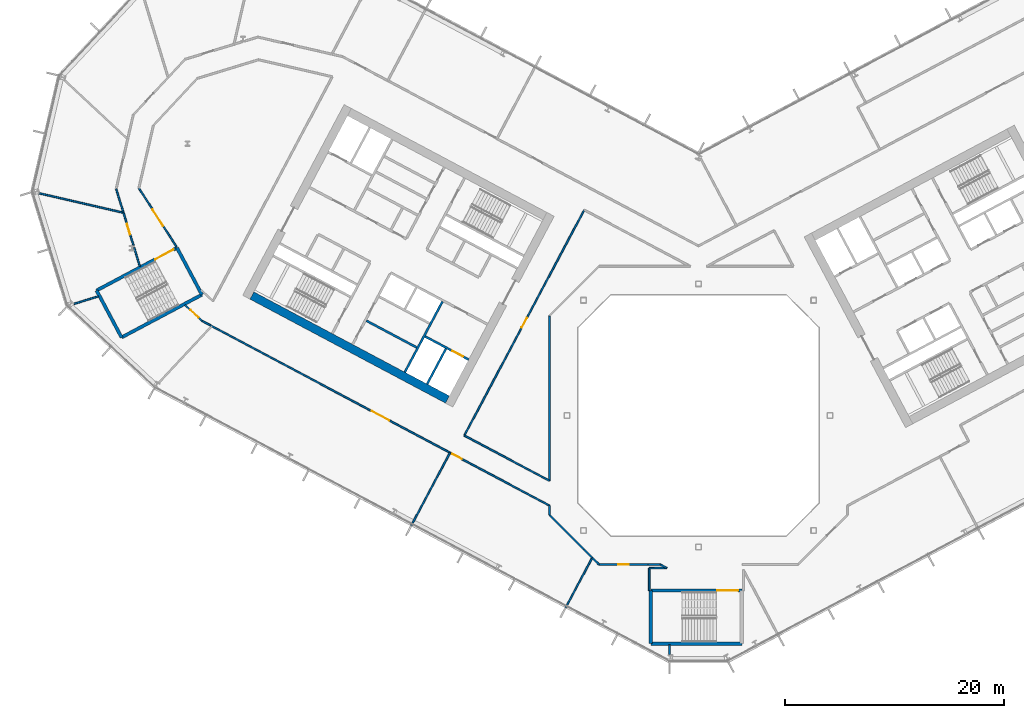
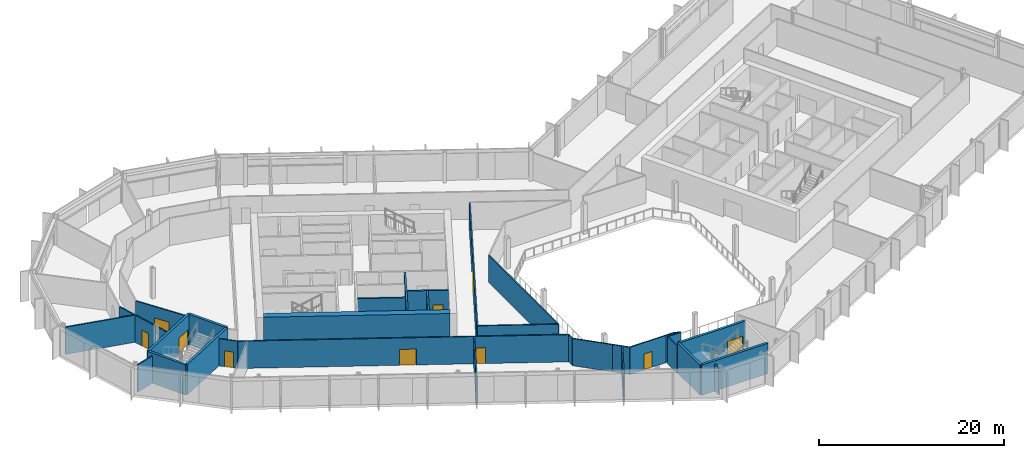
# One storey, part 13 of 28: 36 walls, 10 doors, 10 openings.
"""IFC4 building model written with IfcOpenShell, lengths in metres."""

from ifc_helpers import new_model, si_unit, direction, frame, frame_2d, origin, place, context, subcontext, project, spatial, rectangle, extrude, material, layer, layer_set, type_object, element, fill, save


model = new_model("IFC4")

# Units and contexts
model_context = context("Model", 3, precision=1e-05, world=origin(), true_north=direction((0.0, 1.0)))
body_context = subcontext(model_context, "Body", "Model", "MODEL_VIEW")
ifc_project = project(units=[si_unit("LENGTHUNIT", "METRE"), si_unit("AREAUNIT", "SQUARE_METRE"), si_unit("VOLUMEUNIT", "CUBIC_METRE"), si_unit("PLANEANGLEUNIT", "RADIAN"), si_unit("MASSUNIT", "GRAM", prefix="KILO")], contexts=[model_context])

# Site, building, storey
site_placement = place(None, origin())
site = spatial("IfcSite", under=ifc_project, at=site_placement, CompositionType="ELEMENT")
building_placement = place(site_placement, origin())
building = spatial("IfcBuilding", under=site, at=building_placement, Name="Cormorant Relay Tower", CompositionType="ELEMENT")
storey_placement = place(building_placement, frame((0.0, 0.0, 174.199951171875)))
storey = spatial("IfcBuildingStorey", under=building, at=storey_placement, Name="L37", CompositionType="ELEMENT", Elevation=174.199951171875)

# Walls
ifc_material_1 = material(Name="Concrete 40 MPa", Category="concrete")
ifc_layer_1 = layer(ifc_material_1, 0.199951171875)
ifc_layer_set_1 = layer_set([ifc_layer_1], Name="Core internal wall 200")
wall_type_1 = type_object("IfcWallType", Name="Core internal wall 200", PredefinedType="SOLIDWALL", material=ifc_layer_set_1)
wall_1_placement = place(storey_placement, frame((-25.701904296875, 6.19091796875, 0.0), z_axis=(0.0, 0.0, 1.0), x_axis=(-0.882934506056, 0.469496174655, 0.0)))
element("IfcWall", 1, at=wall_1_placement, inside=storey, type_object=wall_type_1, Name="L37 core A shaft and room wall", PredefinedType="SOLIDWALL", context=body_context, shape_type="SweptSolid", body=[
    extrude(rectangle(XDim=5.199951171875, YDim=0.199951171875, at=frame_2d((2.60009765625, 0.0))), origin(), (0.0, 0.0, 1.0), 4.0),
])
ifc_material_2 = material(Name="Concrete 50 MPa", Category="concrete")
ifc_layer_2 = layer(ifc_material_2, 0.199951171875)
ifc_layer_set_2 = layer_set([ifc_layer_2], Name="Core shaft wall 200")
wall_type_2 = type_object("IfcWallType", Name="Core shaft wall 200", PredefinedType="SHEAR", material=ifc_layer_set_2)
wall_2_placement = place(storey_placement, frame((-23.04296875, 6.07958984375, 0.0), z_axis=(0.0, 0.0, 1.0), x_axis=(-0.469494272526, -0.882935517501, 0.0)))
element("IfcWall", 2, at=wall_2_placement, inside=storey, type_object=wall_type_2, Name="L37 core A shaft wall", PredefinedType="SHEAR", context=body_context, shape_type="SweptSolid", body=[
    extrude(rectangle(XDim=3.64990234375, YDim=0.199951171875, at=frame_2d((1.824951171875, 0.0))), origin(), (0.0, 0.0, 1.0), 4.0),
])
wall_3_placement = place(storey_placement, frame((-23.360107421875, 10.38232421875, 0.0), z_axis=(0.0, 0.0, 1.0), x_axis=(-0.469480409012, -0.88294288918, 0.0)))
element("IfcWall", 3, at=wall_3_placement, inside=storey, type_object=wall_type_2, Name="L37 core A shaft wall", PredefinedType="SHEAR", context=body_context, shape_type="SweptSolid", body=[
    extrude(rectangle(XDim=7.300048828125, YDim=0.199951171875, at=frame_2d((3.64990234375, 0.0))), origin(), (0.0, 0.0, 1.0), 4.0),
])

# Wall, opening, door
wall_4_placement = place(storey_placement, frame((-20.96533203125, 5.088134765625, 0.0), z_axis=(0.0, 0.0, 1.0), x_axis=(-0.882925986334, 0.469512196493, 0.0)))
wall_4 = element("IfcWall", 4, at=wall_4_placement, inside=storey, type_object=wall_type_2, Name="L37 core A shaft wall", PredefinedType="SHEAR", context=body_context, shape_type="SweptSolid", body=[
    extrude(rectangle(XDim=4.5, YDim=0.199951171875, at=frame_2d((2.25, 0.0))), origin(), (0.0, 0.0, 1.0), 4.0),
])
opening_1_placement = place(wall_4_placement, frame((0.60009765625, 0.0, 0.0)))
opening_1 = element("IfcOpeningElement", 5, at=opening_1_placement, cuts=wall_4, Name="Opening LD1-043", PredefinedType="OPENING", context=body_context, shape_type="SweptSolid", body=[
    extrude(rectangle(XDim=1.10009765625, YDim=2.10009765625, at=frame_2d((0.550048828125, 1.050048828125))), frame((0.0, 0.10986328125, 0.0), z_axis=(0.0, -1.0, 0.0), x_axis=(1.0, 0.0, 0.0)), (0.0, 0.0, 1.0), 0.219970703125),
])
ifc_material_3 = material(Name="Stainless steel 316", Category="steel")
door_type_1 = type_object("IfcDoorType", Name="Lift landing door 1100x2100", OperationType="DOUBLE_DOOR_SLIDING", PredefinedType="DOOR", material=ifc_material_3)
door_1_placement = place(opening_1_placement, origin())
door_1 = element("IfcDoor", 6, at=door_1_placement, inside=storey, type_object=door_type_1, Name="FF1 landing door", OperationType="DOUBLE_DOOR_SLIDING", OverallHeight=2.10009765625, OverallWidth=1.10009765625, PredefinedType="DOOR", context=body_context, shape_type="SweptSolid", body=[
    extrude(rectangle(XDim=1.10009765625, YDim=2.10009765625, at=frame_2d((0.550048828125, 1.050048828125))), frame((0.0, 0.02490234375, 0.0), z_axis=(0.0, -1.0, 0.0), x_axis=(1.0, 0.0, 0.0)), (0.0, 0.0, 1.0), 0.050048828125),
])
fill(opening_1, door_1)

# Walls
ifc_material_4 = material(Name="Concrete 60 MPa", Category="concrete")
ifc_layer_3 = layer(ifc_material_4, 0.75)
ifc_layer_set_3 = layer_set([ifc_layer_3], Name="Core wall 750")
wall_type_3 = type_object("IfcWallType", Name="Core wall 750", PredefinedType="SHEAR", material=ifc_layer_set_3)
wall_5_placement = place(storey_placement, frame((-22.90185546875, 1.446044921875, 0.0), z_axis=(0.0, 0.0, 1.0), x_axis=(-0.88294509198, 0.469476266226, 0.0)))
element("IfcWall", 7, at=wall_5_placement, inside=storey, type_object=wall_type_3, Name="L37 core A wall", PredefinedType="SHEAR", context=body_context, shape_type="SweptSolid", body=[
    extrude(rectangle(XDim=20.199951171875, YDim=0.75, at=frame_2d((10.10009765625, 0.0))), origin(), (0.0, 0.0, 1.0), 4.0),
])
ifc_material_5 = material(Name="Gypsum board fire partition")
ifc_layer_4 = layer(ifc_material_5, 0.14990234375)
ifc_layer_set_4 = layer_set([ifc_layer_4], Name="Corridor partition 150 EI 60")
wall_type_4 = type_object("IfcWallType", Name="Corridor partition 150 EI 60", PredefinedType="PARTITIONING", material=ifc_layer_set_4)
wall_6_placement = place(storey_placement, frame((-53.114990234375, 20.658935546875, 0.0), z_axis=(0.0, 0.0, 1.0), x_axis=(0.292062202153, -0.956399325634, 0.0)))
element("IfcWall", 8, at=wall_6_placement, inside=storey, type_object=wall_type_4, Name="wall/L37/part/005", PredefinedType="PARTITIONING", context=body_context, shape_type="SweptSolid", body=[
    extrude(rectangle(XDim=2.221923828125, YDim=0.14990234375, at=frame_2d((1.11083984375, 0.0))), origin(), (0.0, 0.0, 1.0), 3.60009765625),
])
wall_7_placement = place(storey_placement, frame((-50.958984375, 13.60400390625, 0.0), z_axis=(0.0, 0.0, 1.0), x_axis=(-0.292326826569, 0.95631847544, 0.0)))
element("IfcWall", 9, at=wall_7_placement, inside=storey, type_object=wall_type_4, Name="wall/L37/part/006", PredefinedType="PARTITIONING", context=body_context, shape_type="SweptSolid", body=[
    extrude(rectangle(XDim=1.775634765625, YDim=0.14990234375, at=frame_2d((0.8876953125, 0.0))), origin(), (0.0, 0.0, 1.0), 3.60009765625),
])

# Wall, opening, door
wall_8_placement = place(storey_placement, frame((-51.534912109375, 15.489990234375, 0.0), z_axis=(0.0, 0.0, 1.0), x_axis=(-0.292522494411, 0.956258641929, 0.0)))
wall_8 = element("IfcWall", 10, at=wall_8_placement, inside=storey, type_object=wall_type_4, Name="wall/L37/part/007", PredefinedType="PARTITIONING", context=body_context, shape_type="SweptSolid", body=[
    extrude(rectangle(XDim=3.18310546875, YDim=0.14990234375, at=frame_2d((1.591552734375, 0.0))), origin(), (0.0, 0.0, 1.0), 3.60009765625),
])
opening_2_placement = place(wall_8_placement, frame((1.050048828125, 0.0, 0.0)))
opening_2 = element("IfcOpeningElement", 11, at=opening_2_placement, cuts=wall_8, Name="Opening DS-084", PredefinedType="OPENING", context=body_context, shape_type="SweptSolid", body=[
    extrude(rectangle(XDim=1.0, YDim=2.10009765625, at=frame_2d((0.5, 1.050048828125))), frame((0.0, 0.0849609375, 0.0), z_axis=(0.0, -1.0, 0.0), x_axis=(1.0, 0.0, 0.0)), (0.0, 0.0, 1.0), 0.169921875),
])
ifc_material_6 = material(Name="Timber door leaf", Category="wood")
door_type_2 = type_object("IfcDoorType", Name="Suite door 1000x2100", OperationType="SINGLE_SWING_LEFT", PredefinedType="DOOR", material=ifc_material_6)
door_2_placement = place(opening_2_placement, origin())
door_2 = element("IfcDoor", 12, at=door_2_placement, inside=storey, type_object=door_type_2, Name="door/L37/015", OperationType="SINGLE_SWING_LEFT", OverallHeight=2.10009765625, OverallWidth=1.0, PredefinedType="DOOR", context=body_context, shape_type="SweptSolid", body=[
    extrude(rectangle(XDim=1.0, YDim=2.10009765625, at=frame_2d((0.5, 1.050048828125))), frame((0.0, 0.02490234375, 0.0), z_axis=(0.0, -1.0, 0.0), x_axis=(1.0, 0.0, 0.0)), (0.0, 0.0, 1.0), 0.050048828125),
])
fill(opening_2, door_2)

wall_9_placement = place(storey_placement, frame((-47.617919921875, 15.3798828125, 0.0), z_axis=(0.0, 0.0, 1.0), x_axis=(-0.539421032188, 0.842036192828, 0.0)))
wall_9 = element("IfcWall", 13, at=wall_9_placement, inside=storey, type_object=wall_type_4, Name="wall/L37/part/015", PredefinedType="PARTITIONING", context=body_context, shape_type="SweptSolid", body=[
    extrude(rectangle(XDim=6.35498046875, YDim=0.14990234375, at=frame_2d((3.177490234375, 0.0))), origin(), (0.0, 0.0, 1.0), 3.60009765625),
])
opening_3_placement = place(wall_9_placement, frame((2.25, 0.0, 0.0)))
opening_3 = element("IfcOpeningElement", 14, at=opening_3_placement, cuts=wall_9, Name="Opening DD-017", PredefinedType="OPENING", context=body_context, shape_type="SweptSolid", body=[
    extrude(rectangle(XDim=1.800048828125, YDim=2.10009765625, at=frame_2d((0.89990234375, 1.050048828125))), frame((0.0, 0.0849609375, 0.0), z_axis=(0.0, -1.0, 0.0), x_axis=(1.0, 0.0, 0.0)), (0.0, 0.0, 1.0), 0.169921875),
])
ifc_material_7 = material(Name="Timber door leaf", Category="wood")
door_type_3 = type_object("IfcDoorType", Name="Suite double door 1800x2100", OperationType="DOUBLE_DOOR_SINGLE_SWING", PredefinedType="DOOR", material=ifc_material_7)
door_3_placement = place(opening_3_placement, frame((1.800048828125, 0.0, 0.0), z_axis=(0.0, 0.0, 1.0), x_axis=(-1.0, 0.0, 0.0)))
door_3 = element("IfcDoor", 15, at=door_3_placement, inside=storey, type_object=door_type_3, Name="door/L37/001", OperationType="DOUBLE_DOOR_SINGLE_SWING", OverallHeight=2.10009765625, OverallWidth=1.800048828125, PredefinedType="DOOR", context=body_context, shape_type="SweptSolid", body=[
    extrude(rectangle(XDim=1.800048828125, YDim=2.10009765625, at=frame_2d((0.89990234375, 1.050048828125))), frame((0.0, 0.02490234375, 0.0), z_axis=(0.0, -1.0, 0.0), x_axis=(1.0, 0.0, 0.0)), (0.0, 0.0, 1.0), 0.050048828125),
])
fill(opening_3, door_3)

# Wall
wall_10_placement = place(storey_placement, frame((-44.4619140625, 8.180908203125, 0.0), z_axis=(0.0, 0.0, 1.0), x_axis=(-0.882750253305, 0.469842516478, 0.0)))
element("IfcWall", 16, at=wall_10_placement, inside=storey, type_object=wall_type_4, Name="wall/L37/part/022", PredefinedType="PARTITIONING", context=body_context, shape_type="SweptSolid", body=[
    extrude(rectangle(XDim=0.934814453125, YDim=0.14990234375, at=frame_2d((0.46728515625, 0.0))), origin(), (0.0, 0.0, 1.0), 3.60009765625),
])

# Wall, opening, door
wall_11_placement = place(storey_placement, frame((-45.287109375, 8.6201171875, 0.0), z_axis=(0.0, 0.0, 1.0), x_axis=(-0.731593637228, 0.681740969846, 0.0)))
wall_11 = element("IfcWall", 17, at=wall_11_placement, inside=storey, type_object=wall_type_4, Name="wall/L37/part/023", PredefinedType="PARTITIONING", context=body_context, shape_type="SweptSolid", body=[
    extrude(rectangle(XDim=2.12548828125, YDim=0.14990234375, at=frame_2d((1.062744140625, 0.0))), origin(), (0.0, 0.0, 1.0), 3.60009765625),
])
opening_4_placement = place(wall_11_placement, frame((0.449951171875, 0.0, 0.0)))
opening_4 = element("IfcOpeningElement", 18, at=opening_4_placement, cuts=wall_11, Name="Opening DS-085", PredefinedType="OPENING", context=body_context, shape_type="SweptSolid", body=[
    extrude(rectangle(XDim=1.0, YDim=2.10009765625, at=frame_2d((0.5, 1.050048828125))), frame((0.0, 0.0849609375, 0.0), z_axis=(0.0, -1.0, 0.0), x_axis=(1.0, 0.0, 0.0)), (0.0, 0.0, 1.0), 0.169921875),
])
door_4_placement = place(opening_4_placement, origin())
door_4 = element("IfcDoor", 19, at=door_4_placement, inside=storey, type_object=door_type_2, Name="door/L37/016", OperationType="SINGLE_SWING_RIGHT", OverallHeight=2.10009765625, OverallWidth=1.0, PredefinedType="DOOR", context=body_context, shape_type="SweptSolid", body=[
    extrude(rectangle(XDim=1.0, YDim=2.10009765625, at=frame_2d((0.5, 1.050048828125))), frame((0.0, 0.02490234375, 0.0), z_axis=(0.0, -1.0, 0.0), x_axis=(1.0, 0.0, 0.0)), (0.0, 0.0, 1.0), 0.050048828125),
])
fill(opening_4, door_4)

# Wall, openings, doors
wall_12_placement = place(storey_placement, frame((-13.60009765625, -8.22802734375, 0.0), z_axis=(0.0, 0.0, 1.0), x_axis=(-0.882954510497, 0.469458552369, 0.0)))
wall_12 = element("IfcWall", 20, at=wall_12_placement, inside=storey, type_object=wall_type_4, Name="wall/L37/part/024", PredefinedType="PARTITIONING", context=body_context, shape_type="SweptSolid", body=[
    extrude(rectangle(XDim=34.952880859375, YDim=0.14990234375, at=frame_2d((17.4765625, 0.0))), origin(), (0.0, 0.0, 1.0), 3.60009765625),
])
opening_5_placement = place(wall_12_placement, frame((16.550048828125, 0.0, 0.0)))
opening_5 = element("IfcOpeningElement", 21, at=opening_5_placement, cuts=wall_12, Name="Opening DD-020", PredefinedType="OPENING", context=body_context, shape_type="SweptSolid", body=[
    extrude(rectangle(XDim=1.800048828125, YDim=2.10009765625, at=frame_2d((0.89990234375, 1.050048828125))), frame((0.0, 0.0849609375, 0.0), z_axis=(0.0, -1.0, 0.0), x_axis=(1.0, 0.0, 0.0)), (0.0, 0.0, 1.0), 0.169921875),
])
opening_6_placement = place(wall_12_placement, frame((9.050048828125, 0.0, 0.0)))
opening_6 = element("IfcOpeningElement", 22, at=opening_6_placement, cuts=wall_12, Name="Opening DS-086", PredefinedType="OPENING", context=body_context, shape_type="SweptSolid", body=[
    extrude(rectangle(XDim=1.0, YDim=2.10009765625, at=frame_2d((0.5, 1.050048828125))), frame((0.0, 0.0849609375, 0.0), z_axis=(0.0, -1.0, 0.0), x_axis=(1.0, 0.0, 0.0)), (0.0, 0.0, 1.0), 0.169921875),
])
door_5_placement = place(opening_6_placement, origin())
door_5 = element("IfcDoor", 23, at=door_5_placement, inside=storey, type_object=door_type_2, Name="door/L37/018", OperationType="SINGLE_SWING_RIGHT", OverallHeight=2.10009765625, OverallWidth=1.0, PredefinedType="DOOR", context=body_context, shape_type="SweptSolid", body=[
    extrude(rectangle(XDim=1.0, YDim=2.10009765625, at=frame_2d((0.5, 1.050048828125))), frame((0.0, 0.02490234375, 0.0), z_axis=(0.0, -1.0, 0.0), x_axis=(1.0, 0.0, 0.0)), (0.0, 0.0, 1.0), 0.050048828125),
])
fill(opening_6, door_5)
door_6_placement = place(opening_5_placement, origin())
door_6 = element("IfcDoor", 24, at=door_6_placement, inside=storey, type_object=door_type_3, Name="door/L37/017", OperationType="DOUBLE_DOOR_SINGLE_SWING", OverallHeight=2.10009765625, OverallWidth=1.800048828125, PredefinedType="DOOR", context=body_context, shape_type="SweptSolid", body=[
    extrude(rectangle(XDim=1.800048828125, YDim=2.10009765625, at=frame_2d((0.89990234375, 1.050048828125))), frame((0.0, 0.02490234375, 0.0), z_axis=(0.0, -1.0, 0.0), x_axis=(1.0, 0.0, 0.0)), (0.0, 0.0, 1.0), 0.050048828125),
])
fill(opening_5, door_6)

# Walls
wall_13_placement = place(storey_placement, frame((-10.4541015625, -12.222900390625, 0.0), z_axis=(0.0, 0.0, 1.0), x_axis=(-0.707106781187, 0.707106781187, 0.0)))
element("IfcWall", 25, at=wall_13_placement, inside=storey, type_object=wall_type_4, Name="wall/L37/part/038", PredefinedType="PARTITIONING", context=body_context, shape_type="SweptSolid", body=[
    extrude(rectangle(XDim=4.44921875, YDim=0.14990234375, at=frame_2d((2.224609375, 0.0))), origin(), (0.0, 0.0, 1.0), 3.60009765625),
])
wall_14_placement = place(storey_placement, frame((-13.60009765625, -9.076904296875, 0.0), z_axis=(0.0, 0.0, 1.0), x_axis=(0.0, 1.0, 0.0)))
element("IfcWall", 26, at=wall_14_placement, inside=storey, type_object=wall_type_4, Name="wall/L37/part/039", PredefinedType="PARTITIONING", context=body_context, shape_type="SweptSolid", body=[
    extrude(rectangle(XDim=0.843994140625, YDim=0.14990234375, at=frame_2d((0.421875, 0.0))), origin(), (0.0, 0.0, 1.0), 3.60009765625),
])
wall_15_placement = place(storey_placement, frame((-9.693115234375, -12.98388671875, 0.0), z_axis=(0.0, 0.0, 1.0), x_axis=(-0.707106781187, 0.707106781187, 0.0)))
element("IfcWall", 27, at=wall_15_placement, inside=storey, type_object=wall_type_4, Name="wall/L37/part/041", PredefinedType="PARTITIONING", context=body_context, shape_type="SweptSolid", body=[
    extrude(rectangle(XDim=1.076171875, YDim=0.14990234375, at=frame_2d((0.5380859375, 0.0))), origin(), (0.0, 0.0, 1.0), 3.60009765625),
])

# Wall, opening, door
wall_16_placement = place(storey_placement, frame((-4.595947265625, -13.60009765625, 0.0), z_axis=(0.0, 0.0, 1.0), x_axis=(-1.0, 0.0, 0.0)))
wall_16 = element("IfcWall", 28, at=wall_16_placement, inside=storey, type_object=wall_type_4, Name="wall/L37/part/042", PredefinedType="PARTITIONING", context=body_context, shape_type="SweptSolid", body=[
    extrude(rectangle(XDim=4.48095703125, YDim=0.14990234375, at=frame_2d((2.240478515625, 0.0))), origin(), (0.0, 0.0, 1.0), 3.60009765625),
])
opening_7_placement = place(wall_16_placement, frame((1.75, 0.0, 0.0)))
opening_7 = element("IfcOpeningElement", 29, at=opening_7_placement, cuts=wall_16, Name="Opening DS-087", PredefinedType="OPENING", context=body_context, shape_type="SweptSolid", body=[
    extrude(rectangle(XDim=1.0, YDim=2.10009765625, at=frame_2d((0.5, 1.050048828125))), frame((0.0, 0.0849609375, 0.0), z_axis=(0.0, -1.0, 0.0), x_axis=(1.0, 0.0, 0.0)), (0.0, 0.0, 1.0), 0.169921875),
])
door_7_placement = place(opening_7_placement, origin())
door_7 = element("IfcDoor", 30, at=door_7_placement, inside=storey, type_object=door_type_2, Name="door/L37/019", OperationType="SINGLE_SWING_LEFT", OverallHeight=2.10009765625, OverallWidth=1.0, PredefinedType="DOOR", context=body_context, shape_type="SweptSolid", body=[
    extrude(rectangle(XDim=1.0, YDim=2.10009765625, at=frame_2d((0.5, 1.050048828125))), frame((0.0, 0.02490234375, 0.0), z_axis=(0.0, -1.0, 0.0), x_axis=(1.0, 0.0, 0.0)), (0.0, 0.0, 1.0), 0.050048828125),
])
fill(opening_7, door_7)

# Walls
wall_17_placement = place(storey_placement, frame((-9.076904296875, -13.60009765625, 0.0), z_axis=(0.0, 0.0, 1.0), x_axis=(-0.707106781187, 0.707106781187, 0.0)))
element("IfcWall", 31, at=wall_17_placement, inside=storey, type_object=wall_type_4, Name="wall/L37/part/043", PredefinedType="PARTITIONING", context=body_context, shape_type="SweptSolid", body=[
    extrude(rectangle(XDim=0.871337890625, YDim=0.14990234375, at=frame_2d((0.435546875, 0.0))), origin(), (0.0, 0.0, 1.0), 3.60009765625),
])
wall_18_placement = place(storey_placement, frame((-2.885986328125, -13.925048828125, 0.0), z_axis=(0.0, 0.0, 1.0), x_axis=(-0.882928394432, 0.469507667994, 0.0)))
element("IfcWall", 32, at=wall_18_placement, inside=storey, type_object=wall_type_4, Name="wall/L37/part/044", PredefinedType="PARTITIONING", context=body_context, shape_type="SweptSolid", body=[
    extrude(rectangle(XDim=0.692138671875, YDim=0.14990234375, at=frame_2d((0.34619140625, 0.0))), origin(), (0.0, 0.0, 1.0), 3.60009765625),
])
wall_19_placement = place(storey_placement, frame((-3.4970703125, -13.60009765625, 0.0), z_axis=(0.0, 0.0, 1.0), x_axis=(-1.0, 0.0, 0.0)))
element("IfcWall", 33, at=wall_19_placement, inside=storey, type_object=wall_type_4, Name="wall/L37/part/045", PredefinedType="PARTITIONING", context=body_context, shape_type="SweptSolid", body=[
    extrude(rectangle(XDim=1.098876953125, YDim=0.14990234375, at=frame_2d((0.54931640625, 0.0))), origin(), (0.0, 0.0, 1.0), 3.60009765625),
])
wall_20_placement = place(storey_placement, frame((-4.5, -15.97509765625, 0.0), z_axis=(0.0, 0.0, 1.0), x_axis=(0.0, 1.0, 0.0)))
element("IfcWall", 34, at=wall_20_placement, inside=storey, type_object=wall_type_4, Name="wall/L37/part/046", PredefinedType="PARTITIONING", context=body_context, shape_type="SweptSolid", body=[
    extrude(rectangle(XDim=2.050048828125, YDim=0.14990234375, at=frame_2d((1.02490234375, 0.0))), origin(), (0.0, 0.0, 1.0), 3.60009765625),
])
wall_21_placement = place(storey_placement, frame((-2.908935546875, -13.925048828125, 0.0), z_axis=(0.0, 0.0, 1.0), x_axis=(-0.999999811638, -0.000613779231, 0.0)))
element("IfcWall", 35, at=wall_21_placement, inside=storey, type_object=wall_type_4, Name="wall/L37/part/047", PredefinedType="PARTITIONING", context=body_context, shape_type="SweptSolid", body=[
    extrude(rectangle(XDim=1.591064453125, YDim=0.14990234375, at=frame_2d((0.79541015625, 0.0))), origin(), (0.0, 0.0, 1.0), 3.60009765625),
])

# Wall, opening, door
wall_22_placement = place(storey_placement, frame((-21.362060546875, -1.8359375, 0.0), z_axis=(0.0, 0.0, 1.0), x_axis=(0.469442492633, 0.88296304912, 0.0)))
wall_22 = element("IfcWall", 36, at=wall_22_placement, inside=storey, type_object=wall_type_4, Name="wall/L37/part/076", PredefinedType="PARTITIONING", context=body_context, shape_type="SweptSolid", body=[
    extrude(rectangle(XDim=23.300048828125, YDim=0.14990234375, at=frame_2d((11.64990234375, 0.0))), origin(), (0.0, 0.0, 1.0), 3.60009765625),
])
opening_8_placement = place(wall_22_placement, frame((11.14990234375, 0.0, 0.0)))
opening_8 = element("IfcOpeningElement", 37, at=opening_8_placement, cuts=wall_22, Name="Opening DS-073", PredefinedType="OPENING", context=body_context, shape_type="SweptSolid", body=[
    extrude(rectangle(XDim=1.0, YDim=2.10009765625, at=frame_2d((0.5, 1.050048828125))), frame((0.0, 0.0849609375, 0.0), z_axis=(0.0, -1.0, 0.0), x_axis=(1.0, 0.0, 0.0)), (0.0, 0.0, 1.0), 0.169921875),
])
door_8_placement = place(opening_8_placement, origin())
door_8 = element("IfcDoor", 38, at=door_8_placement, inside=storey, type_object=door_type_2, Name="door/L37/002", OperationType="SINGLE_SWING_RIGHT", OverallHeight=2.10009765625, OverallWidth=1.0, PredefinedType="DOOR", context=body_context, shape_type="SweptSolid", body=[
    extrude(rectangle(XDim=1.0, YDim=2.10009765625, at=frame_2d((0.5, 1.050048828125))), frame((0.0, 0.02490234375, 0.0), z_axis=(0.0, -1.0, 0.0), x_axis=(1.0, 0.0, 0.0)), (0.0, 0.0, 1.0), 0.050048828125),
])
fill(opening_8, door_8)

# Walls
wall_23_placement = place(storey_placement, frame((-13.60009765625, 9.076904296875, 0.0), z_axis=(0.0, 0.0, 1.0), x_axis=(0.0, -1.0, 0.0)))
element("IfcWall", 39, at=wall_23_placement, inside=storey, type_object=wall_type_4, Name="wall/L37/part/080", PredefinedType="PARTITIONING", context=body_context, shape_type="SweptSolid", body=[
    extrude(rectangle(XDim=15.039794921875, YDim=0.14990234375, at=frame_2d((7.52001953125, 0.0))), origin(), (0.0, 0.0, 1.0), 3.60009765625),
])
wall_24_placement = place(storey_placement, frame((-13.60009765625, -5.962890625, 0.0), z_axis=(0.0, 0.0, 1.0), x_axis=(-0.882954936964, 0.469457750273, 0.0)))
element("IfcWall", 40, at=wall_24_placement, inside=storey, type_object=wall_type_4, Name="wall/L37/part/081", PredefinedType="PARTITIONING", context=body_context, shape_type="SweptSolid", body=[
    extrude(rectangle(XDim=8.791015625, YDim=0.14990234375, at=frame_2d((4.3955078125, 0.0))), origin(), (0.0, 0.0, 1.0), 3.60009765625),
])
ifc_material_8 = material(Name="Concrete 50 MPa", Category="concrete")
ifc_layer_5 = layer(ifc_material_8, 0.300048828125)
ifc_layer_set_5 = layer_set([ifc_layer_5], Name="Remote stair wall 300")
wall_type_5 = type_object("IfcWallType", Name="Remote stair wall 300", PredefinedType="SHEAR", material=ifc_layer_set_5)
wall_25_placement = place(storey_placement, frame((3.949951171875, -20.824951171875, 0.0), z_axis=(0.0, 0.0, 1.0), x_axis=(-1.0, 0.0, 0.0)))
element("IfcWall", 41, at=wall_25_placement, inside=storey, type_object=wall_type_5, Name="L37 exit stair RK1 wall", PredefinedType="SHEAR", context=body_context, shape_type="SweptSolid", body=[
    extrude(rectangle(XDim=8.300048828125, YDim=0.300048828125, at=frame_2d((4.14990234375, 0.0))), origin(), (0.0, 0.0, 1.0), 4.0),
])
wall_26_placement = place(storey_placement, frame((-4.35009765625, -20.824951171875, 0.0), z_axis=(0.0, 0.0, 1.0), x_axis=(0.0, 1.0, 0.0)))
element("IfcWall", 42, at=wall_26_placement, inside=storey, type_object=wall_type_5, Name="L37 exit stair RK1 wall", PredefinedType="SHEAR", context=body_context, shape_type="SweptSolid", body=[
    extrude(rectangle(XDim=4.849853515625, YDim=0.300048828125, at=frame_2d((2.4248046875, 0.0))), origin(), (0.0, 0.0, 1.0), 4.0),
])

# Wall, opening, door
wall_27_placement = place(storey_placement, frame((-4.35009765625, -15.97509765625, 0.0), z_axis=(0.0, 0.0, 1.0), x_axis=(1.0, 0.0, 0.0)))
wall_27 = element("IfcWall", 43, at=wall_27_placement, inside=storey, type_object=wall_type_5, Name="L37 exit stair RK1 wall", PredefinedType="SHEAR", context=body_context, shape_type="SweptSolid", body=[
    extrude(rectangle(XDim=8.300048828125, YDim=0.300048828125, at=frame_2d((4.14990234375, 0.0))), origin(), (0.0, 0.0, 1.0), 4.0),
])
opening_9_placement = place(wall_27_placement, frame((6.050048828125, 0.0, 0.0)))
opening_9 = element("IfcOpeningElement", 44, at=opening_9_placement, cuts=wall_27, Name="Opening CDE-012", PredefinedType="OPENING", context=body_context, shape_type="SweptSolid", body=[
    extrude(rectangle(XDim=1.89990234375, YDim=2.10009765625, at=frame_2d((0.949951171875, 1.050048828125))), frame((0.0, 0.159912109375, 0.0), z_axis=(0.0, -1.0, 0.0), x_axis=(1.0, 0.0, 0.0)), (0.0, 0.0, 1.0), 0.320068359375),
])
ifc_material_9 = material(Name="Steel fire door", Category="steel")
door_type_4 = type_object("IfcDoorType", Name="Remote stair door 1900x2100", OperationType="DOUBLE_DOOR_SINGLE_SWING", PredefinedType="DOOR", material=ifc_material_9)
door_9_placement = place(opening_9_placement, frame((1.89990234375, 0.0, 0.0), z_axis=(0.0, 0.0, 1.0), x_axis=(-1.0, 0.0, 0.0)))
door_9 = element("IfcDoor", 45, at=door_9_placement, inside=storey, type_object=door_type_4, Name="Exit stair RK1 door", OperationType="DOUBLE_DOOR_SINGLE_SWING", OverallHeight=2.10009765625, OverallWidth=1.89990234375, PredefinedType="DOOR", context=body_context, shape_type="SweptSolid", body=[
    extrude(rectangle(XDim=1.89990234375, YDim=2.10009765625, at=frame_2d((0.949951171875, 1.050048828125))), frame((0.0, 0.02490234375, 0.0), z_axis=(0.0, -1.0, 0.0), x_axis=(1.0, 0.0, 0.0)), (0.0, 0.0, 1.0), 0.050048828125),
])
fill(opening_9, door_9)

# Walls
wall_28_placement = place(storey_placement, frame((-47.57421875, 15.28955078125, 0.0), z_axis=(0.0, 0.0, 1.0), x_axis=(0.469443498566, -0.882962514297, 0.0)))
element("IfcWall", 46, at=wall_28_placement, inside=storey, type_object=wall_type_5, Name="L37 exit stair RP1 wall", PredefinedType="SHEAR", context=body_context, shape_type="SweptSolid", body=[
    extrude(rectangle(XDim=4.85009765625, YDim=0.300048828125, at=frame_2d((2.425048828125, 0.0))), origin(), (0.0, 0.0, 1.0), 4.0),
])
wall_29_placement = place(storey_placement, frame((-45.29736328125, 11.007080078125, 0.0), z_axis=(0.0, 0.0, 1.0), x_axis=(-0.882951519127, -0.469464178475, 0.0)))
element("IfcWall", 47, at=wall_29_placement, inside=storey, type_object=wall_type_5, Name="L37 exit stair RP1 wall", PredefinedType="SHEAR", context=body_context, shape_type="SweptSolid", body=[
    extrude(rectangle(XDim=8.2998046875, YDim=0.300048828125, at=frame_2d((4.14990234375, 0.0))), origin(), (0.0, 0.0, 1.0), 4.0),
])
wall_30_placement = place(storey_placement, frame((-52.625732421875, 7.110595703125, 0.0), z_axis=(0.0, 0.0, 1.0), x_axis=(-0.469464364128, 0.882951420416, 0.0)))
element("IfcWall", 48, at=wall_30_placement, inside=storey, type_object=wall_type_5, Name="L37 exit stair RP1 wall", PredefinedType="SHEAR", context=body_context, shape_type="SweptSolid", body=[
    extrude(rectangle(XDim=4.849853515625, YDim=0.300048828125, at=frame_2d((2.4248046875, 0.0))), origin(), (0.0, 0.0, 1.0), 4.0),
])

# Wall, opening, door
wall_31_placement = place(storey_placement, frame((-54.902587890625, 11.392822265625, 0.0), z_axis=(0.0, 0.0, 1.0), x_axis=(0.882939326045, 0.469487110071, 0.0)))
wall_31 = element("IfcWall", 49, at=wall_31_placement, inside=storey, type_object=wall_type_5, Name="L37 exit stair RP1 wall", PredefinedType="SHEAR", context=body_context, shape_type="SweptSolid", body=[
    extrude(rectangle(XDim=8.300048828125, YDim=0.300048828125, at=frame_2d((4.14990234375, 0.0))), origin(), (0.0, 0.0, 1.0), 4.0),
])
opening_10_placement = place(wall_31_placement, frame((6.050048828125, 0.0, 0.0)))
opening_10 = element("IfcOpeningElement", 50, at=opening_10_placement, cuts=wall_31, Name="Opening CDE-013", PredefinedType="OPENING", context=body_context, shape_type="SweptSolid", body=[
    extrude(rectangle(XDim=1.89990234375, YDim=2.10009765625, at=frame_2d((0.949951171875, 1.050048828125))), frame((0.0, 0.159912109375, 0.0), z_axis=(0.0, -1.0, 0.0), x_axis=(1.0, 0.0, 0.0)), (0.0, 0.0, 1.0), 0.320068359375),
])
door_10_placement = place(opening_10_placement, frame((1.89990234375, 0.0, 0.0), z_axis=(0.0, 0.0, 1.0), x_axis=(-1.0, 0.0, 0.0)))
door_10 = element("IfcDoor", 51, at=door_10_placement, inside=storey, type_object=door_type_4, Name="Exit stair RP1 door", OperationType="DOUBLE_DOOR_SINGLE_SWING", OverallHeight=2.10009765625, OverallWidth=1.89990234375, PredefinedType="DOOR", context=body_context, shape_type="SweptSolid", body=[
    extrude(rectangle(XDim=1.89990234375, YDim=2.10009765625, at=frame_2d((0.949951171875, 1.050048828125))), frame((0.0, 0.02490234375, 0.0), z_axis=(0.0, -1.0, 0.0), x_axis=(1.0, 0.0, 0.0)), (0.0, 0.0, 1.0), 0.050048828125),
])
fill(opening_10, door_10)

# Walls
ifc_material_10 = material(Name="Gypsum board partition")
ifc_layer_6 = layer(ifc_material_10, 0.14990234375)
ifc_layer_set_6 = layer_set([ifc_layer_6], Name="Tenant partition 150")
wall_type_6 = type_object("IfcWallType", Name="Tenant partition 150", PredefinedType="PARTITIONING", material=ifc_layer_set_6)
wall_32_placement = place(storey_placement, frame((-52.449951171875, 18.48388671875, 0.0), z_axis=(0.0, 0.0, 1.0), x_axis=(-0.974348948829, 0.225042498023, 0.0)))
element("IfcWall", 52, at=wall_32_placement, inside=storey, type_object=wall_type_6, Name="wall/L37/part/001", PredefinedType="PARTITIONING", context=body_context, shape_type="SweptSolid", body=[
    extrude(rectangle(XDim=7.892333984375, YDim=0.14990234375, at=frame_2d((3.9462890625, 0.0))), origin(), (0.0, 0.0, 1.0), 3.60009765625),
])
wall_33_placement = place(storey_placement, frame((-54.73193359375, 10.85693359375, 0.0), z_axis=(0.0, 0.0, 1.0), x_axis=(-0.956196980242, -0.292723991119, 0.0)))
element("IfcWall", 53, at=wall_33_placement, inside=storey, type_object=wall_type_6, Name="wall/L37/part/003", PredefinedType="PARTITIONING", context=body_context, shape_type="SweptSolid", body=[
    extrude(rectangle(XDim=2.343505859375, YDim=0.14990234375, at=frame_2d((1.171875, 0.0))), origin(), (0.0, 0.0, 1.0), 3.60009765625),
])
wall_34_placement = place(storey_placement, frame((-22.669921875, -3.406005859375, 0.0), z_axis=(0.0, 0.0, 1.0), x_axis=(-0.469451537303, -0.882958240306, 0.0)))
element("IfcWall", 54, at=wall_34_placement, inside=storey, type_object=wall_type_6, Name="wall/L37/part/012", PredefinedType="PARTITIONING", context=body_context, shape_type="SweptSolid", body=[
    extrude(rectangle(XDim=7.549560546875, YDim=0.14990234375, at=frame_2d((3.77490234375, 0.0))), origin(), (0.0, 0.0, 1.0), 3.60009765625),
])
wall_35_placement = place(storey_placement, frame((-9.696044921875, -12.98095703125, 0.0), z_axis=(0.0, 0.0, 1.0), x_axis=(-0.469664493403, -0.882844982789, 0.0)))
element("IfcWall", 55, at=wall_35_placement, inside=storey, type_object=wall_type_6, Name="wall/L37/part/040", PredefinedType="PARTITIONING", context=body_context, shape_type="SweptSolid", body=[
    extrude(rectangle(XDim=5.186767578125, YDim=0.14990234375, at=frame_2d((2.59326171875, 0.0))), origin(), (0.0, 0.0, 1.0), 3.60009765625),
])
wall_36_placement = place(storey_placement, frame((-2.64892578125, -20.925048828125, 0.0), z_axis=(0.0, 0.0, 1.0), x_axis=(0.0, -1.0, 0.0)))
element("IfcWall", 56, at=wall_36_placement, inside=storey, type_object=wall_type_6, Name="wall/L37/part/048", PredefinedType="PARTITIONING", context=body_context, shape_type="SweptSolid", body=[
    extrude(rectangle(XDim=0.90283203125, YDim=0.14990234375, at=frame_2d((0.451416015625, 0.0))), origin(), (0.0, 0.0, 1.0), 3.60009765625),
])

save(model, "model.ifc")
